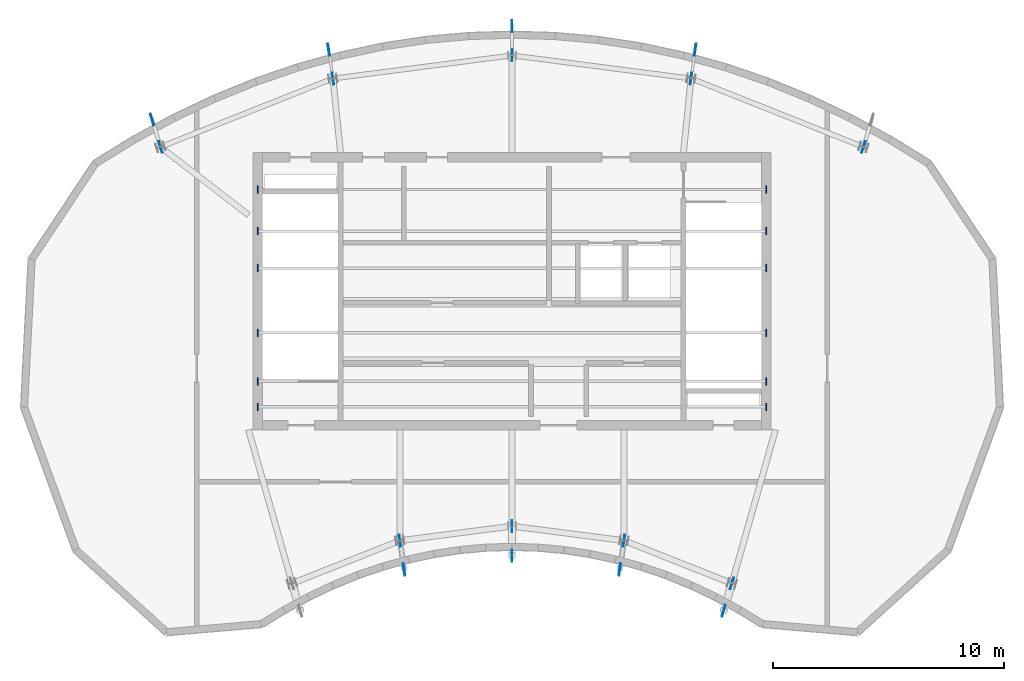
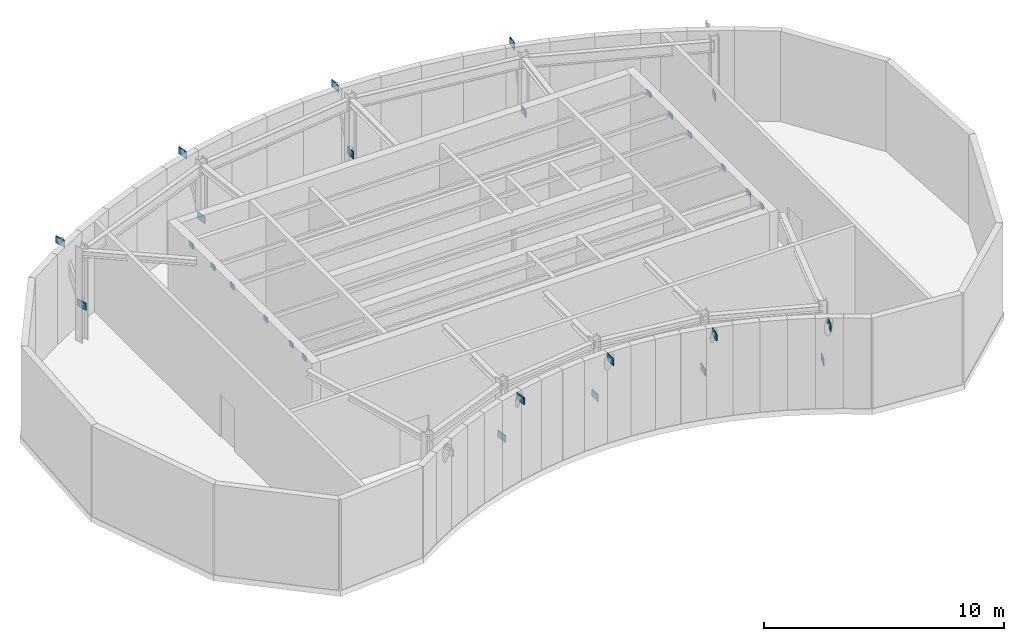
# One storey, part 3 of 6: 29 plates.
"""IFC4 building model written with IfcOpenShell, lengths in metres."""

from ifc_helpers import new_model, si_unit, direction, frame, origin, origin_2d, place, context, subcontext, project, spatial, rectangle, extrude, source, transform, mapped, material, layer, layer_set, type_object, element, save


model = new_model("IFC4")

# Units and contexts
model_context = context("Model", 3, precision=1e-05, world=origin(), true_north=direction((0.0, 1.0)))
body_context = subcontext(model_context, "Body", "Model", "MODEL_VIEW")
ifc_project = project(units=[si_unit("LENGTHUNIT", "METRE"), si_unit("AREAUNIT", "SQUARE_METRE"), si_unit("VOLUMEUNIT", "CUBIC_METRE"), si_unit("PLANEANGLEUNIT", "RADIAN"), si_unit("MASSUNIT", "GRAM", prefix="KILO")], contexts=[model_context])

# Site, building, storey
site_placement = place(None, origin())
site = spatial("IfcSite", under=ifc_project, at=site_placement, CompositionType="ELEMENT")
building_placement = place(site_placement, origin())
building = spatial("IfcBuilding", under=site, at=building_placement, Name="Breltana Convention Tower", CompositionType="ELEMENT")
storey_placement = place(building_placement, frame((0.0, 0.0, 323.39990234375)))
storey = spatial("IfcBuildingStorey", under=building, at=storey_placement, Name="L78", CompositionType="ELEMENT", Elevation=323.39990234375)

# Plates
ifc_material = material(Name="Steel S355", Category="steel")
ifc_layer = layer(ifc_material, 0.0400390625, Name="Steel S355")
ifc_layer_set = layer_set([ifc_layer], Name="Steel S355")
plate_type = type_object("IfcPlateType", Name="PL-GUSSET-40", PredefinedType="USERDEFINED", material=ifc_layer_set)
shared_shape_1 = source(origin(), body_context, "Body", "SweptSolid", [
    extrude(rectangle(XDim=0.52001953125, YDim=0.0400390625, at=origin_2d()), origin(), (0.0, 0.0, 1.0), 0.360107421875),
])
for number, where, z_axis, x_axis, name in (
    (1, (32.791015625, 72.4423828125, 1.6201171875), (0.0, 0.0, 1.0), (-0.288697611798, 0.957420330337, 0.0), "L78 Structural Brace Node Gusset Plate 003"),
    (2, (32.43505859375, 73.622802734375, 4.22998046875), (0.0, 0.0, 1.0), (-0.288697611798, 0.957420330337, 0.0), "L78 Structural Brace Node Gusset Plate 004"),
    (3, (43.153564453125, 55.41064453125, 1.6201171875), (0.0, 0.0, 1.0), (0.143492621991, -0.98965138682, 0.0), "L78 Structural Brace Node Gusset Plate 005"),
    (4, (43.334716796875, 54.1611328125, 4.22998046875), (0.0, 0.0, 1.0), (0.143492621991, -0.98965138682, 0.0), "L78 Structural Brace Node Gusset Plate 006"),
    (5, (40.253173828125, 75.404296875, 1.6201171875), (0.0, 0.0, 1.0), (-0.143492621991, 0.98965138682, 0.0), "L78 Structural Brace Node Gusset Plate 007"),
    (6, (40.072021484375, 76.654052734375, 4.22998046875), (0.0, 0.0, 1.0), (-0.143492621991, 0.98965138682, 0.0), "L78 Structural Brace Node Gusset Plate 008"),
    (7, (48.0, 56.035888671875, 1.6201171875), (0.0, 0.0, 1.0), (0.0, -1.0, 0.0), "L78 Structural Brace Node Gusset Plate 009"),
    (8, (48.0, 54.762939453125, 4.22998046875), (0.0, 0.0, 1.0), (0.0, -1.0, 0.0), "L78 Structural Brace Node Gusset Plate 010"),
    (9, (48.0, 76.404052734375, 1.6201171875), (0.0, 0.0, 1.0), (0.0, 1.0, 0.0), "L78 Structural Brace Node Gusset Plate 011"),
    (10, (48.0, 77.677001953125, 4.22998046875), (0.0, 0.0, 1.0), (0.0, 1.0, 0.0), "L78 Structural Brace Node Gusset Plate 012"),
    (11, (52.846435546875, 55.41064453125, 1.6201171875), (0.0, 0.0, 1.0), (-0.143492621991, -0.98965138682, 0.0), "L78 Structural Brace Node Gusset Plate 013"),
    (12, (52.665283203125, 54.1611328125, 4.22998046875), (0.0, 0.0, 1.0), (-0.143492621991, -0.98965138682, 0.0), "L78 Structural Brace Node Gusset Plate 014"),
    (13, (55.746826171875, 75.404296875, 1.6201171875), (0.0, 0.0, 1.0), (0.143492621991, 0.98965138682, 0.0), "L78 Structural Brace Node Gusset Plate 015"),
    (14, (55.927978515625, 76.654052734375, 4.22998046875), (0.0, 0.0, 1.0), (0.143492621991, 0.98965138682, 0.0), "L78 Structural Brace Node Gusset Plate 016"),
    (15, (57.514892578125, 53.5576171875, 1.6201171875), (0.0, 0.0, 1.0), (-0.288697611798, -0.957420330337, 0.0), "L78 Structural Brace Node Gusset Plate 017"),
    (16, (57.1591796875, 52.377197265625, 4.22998046875), (0.0, 0.0, 1.0), (-0.288697611798, -0.957420330337, 0.0), "L78 Structural Brace Node Gusset Plate 018"),
    (17, (63.208984375, 72.4423828125, 1.6201171875), (0.0, 0.0, 1.0), (0.288697611798, 0.957420330337, 0.0), "L78 Structural Brace Node Gusset Plate 019"),
):
    element("IfcPlate", number, at=place(storey_placement, frame(where, z_axis=z_axis, x_axis=x_axis)), inside=storey, type_object=plate_type, Name=name, ObjectType="GUSSET_PLATE", PredefinedType="USERDEFINED", context=body_context, shape_type="MappedRepresentation", body=[
        mapped(shared_shape_1, transform((0.0, 0.0, 0.0), scale=1.0)),
    ])
shared_shape_2 = source(origin(), body_context, "Body", "SweptSolid", [
    extrude(rectangle(XDim=0.0400390625, YDim=0.320068359375, at=origin_2d()), origin(), (0.0, 0.0, 1.0), 0.280029296875),
])
for number, where, z_axis, x_axis, name in (
    (18, (37.0, 61.199951171875, 4.3203125), (0.0, 0.0, 1.0), (1.0, 0.0, 0.0), "L78 Crown Canopy Purlin End Cleat Plate 1W"),
    (19, (59.0, 61.199951171875, 4.3203125), (0.0, 0.0, 1.0), (1.0, 0.0, 0.0), "L78 Crown Canopy Purlin End Cleat Plate 1E"),
    (20, (37.0, 62.300048828125, 4.3203125), (0.0, 0.0, 1.0), (1.0, 0.0, 0.0), "L78 Crown Canopy Purlin End Cleat Plate 2W"),
    (21, (59.0, 62.300048828125, 4.3203125), (0.0, 0.0, 1.0), (1.0, 0.0, 0.0), "L78 Crown Canopy Purlin End Cleat Plate 2E"),
    (22, (37.0, 64.39990234375, 4.3203125), (0.0, 0.0, 1.0), (1.0, 0.0, 0.0), "L78 Crown Canopy Purlin End Cleat Plate 3W"),
    (23, (59.0, 64.39990234375, 4.3203125), (0.0, 0.0, 1.0), (1.0, 0.0, 0.0), "L78 Crown Canopy Purlin End Cleat Plate 3E"),
    (24, (37.0, 67.199951171875, 4.3203125), (0.0, 0.0, 1.0), (1.0, 0.0, 0.0), "L78 Crown Canopy Purlin End Cleat Plate 4W"),
    (25, (59.0, 67.199951171875, 4.3203125), (0.0, 0.0, 1.0), (1.0, 0.0, 0.0), "L78 Crown Canopy Purlin End Cleat Plate 4E"),
    (26, (37.0, 68.800048828125, 4.3203125), (0.0, 0.0, 1.0), (1.0, 0.0, 0.0), "L78 Crown Canopy Purlin End Cleat Plate 5W"),
    (27, (59.0, 68.800048828125, 4.3203125), (0.0, 0.0, 1.0), (1.0, 0.0, 0.0), "L78 Crown Canopy Purlin End Cleat Plate 5E"),
    (28, (37.0, 70.60009765625, 4.3203125), (0.0, 0.0, 1.0), (1.0, 0.0, 0.0), "L78 Crown Canopy Purlin End Cleat Plate 6W"),
    (29, (59.0, 70.60009765625, 4.3203125), (0.0, 0.0, 1.0), (1.0, 0.0, 0.0), "L78 Crown Canopy Purlin End Cleat Plate 6E"),
):
    element("IfcPlate", number, at=place(storey_placement, frame(where, z_axis=z_axis, x_axis=x_axis)), inside=storey, type_object=plate_type, Name=name, ObjectType="GUSSET_PLATE", PredefinedType="USERDEFINED", context=body_context, shape_type="MappedRepresentation", body=[
        mapped(shared_shape_2, transform((0.0, 0.0, 0.0), scale=1.0)),
    ])

save(model, "model.ifc")
